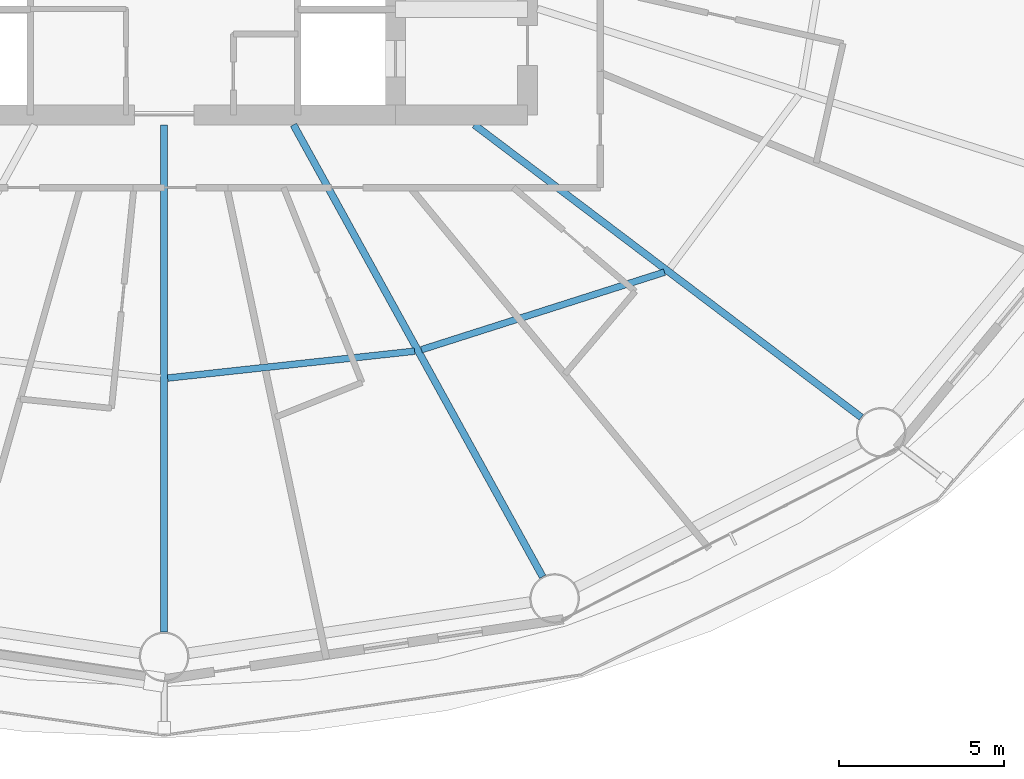
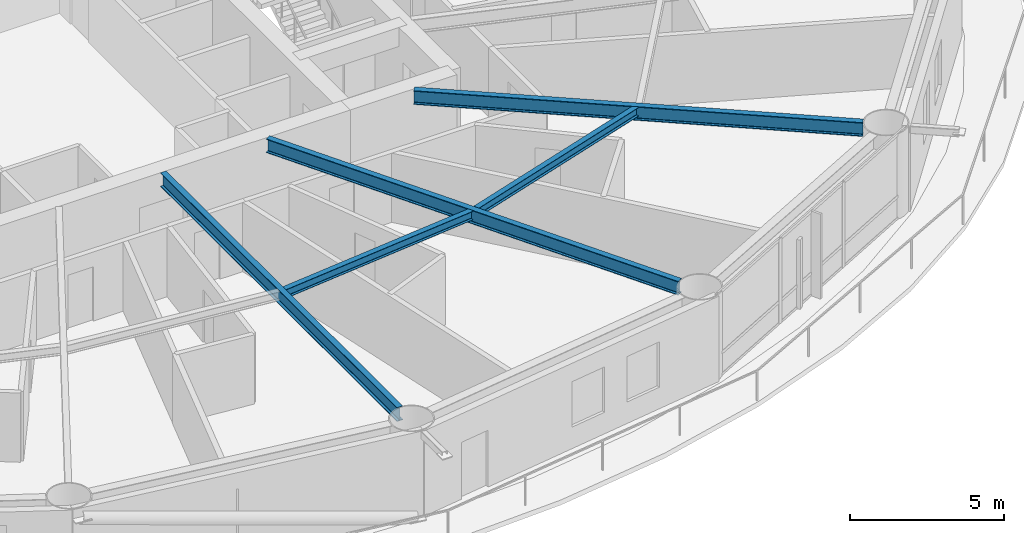
# One storey, part 7 of 26: 5 beams.
"""IFC4 building model written with IfcOpenShell, lengths in metres."""

from ifc_helpers import new_model, si_unit, direction, frame, origin, origin_2d, place, context, subcontext, project, spatial, i_section, extrude, material, material_profile, profile_set, type_object, element, save


model = new_model("IFC4")

# Units and contexts
model_context = context("Model", 3, precision=1e-05, world=origin(), true_north=direction((0.0, 1.0)))
body_context = subcontext(model_context, "Body", "Model", "MODEL_VIEW")
ifc_project = project(units=[si_unit("LENGTHUNIT", "METRE"), si_unit("AREAUNIT", "SQUARE_METRE"), si_unit("VOLUMEUNIT", "CUBIC_METRE"), si_unit("PLANEANGLEUNIT", "RADIAN"), si_unit("MASSUNIT", "GRAM", prefix="KILO")], contexts=[model_context])

# Site, building, storey
site_placement = place(None, origin())
site = spatial("IfcSite", under=ifc_project, at=site_placement, CompositionType="ELEMENT")
building_placement = place(site_placement, origin())
building = spatial("IfcBuilding", under=site, at=building_placement, Name="Sarneth Arch Tower", CompositionType="ELEMENT")
storey_placement = place(building_placement, frame((0.0, 0.0, 35.39990234375)))
storey = spatial("IfcBuildingStorey", under=building, at=storey_placement, Name="L07", CompositionType="ELEMENT", Elevation=35.39990234375)

# Beams
ifc_material_1 = material(Name="Steel S355", Category="steel")
ifc_material_profile_1 = material_profile(ifc_material_1, i_section(OverallWidth=0.202880859375, OverallDepth=0.346923828125, WebThickness=0.0078125, FlangeThickness=0.013427734375, FilletRadius=0.014892578125, at=origin_2d()), Name="W360x64")
ifc_profile_set_1 = profile_set([ifc_material_profile_1], Name="Steel S355")
beam_type_1 = type_object("IfcBeamType", Name="BM-JOIST-360C", PredefinedType="JOIST", material=ifc_profile_set_1)
beam_1_placement = place(storey_placement, frame((48.1064453125, 27.236572265625, 3.20654296875), z_axis=(0.994129966112, 0.108192469602, 0.0), x_axis=(-0.108192469602, 0.994129966112, 0.0)))
element("IfcBeam", 1, at=beam_1_placement, inside=storey, type_object=beam_type_1, Name="L07 Secondary floor joist 13", PredefinedType="JOIST", context=body_context, shape_type="SweptSolid", body=[
    extrude(i_section(OverallWidth=0.202880859375, OverallDepth=0.346923828125, WebThickness=0.0078125, FlangeThickness=0.013427734375, FilletRadius=0.014892578125, at=origin_2d()), origin(), (0.0, 0.0, 1.0), 7.5166015625),
])
beam_2_placement = place(storey_placement, frame((55.787109375, 28.093994140625, 3.20654296875), z_axis=(0.95266836992, 0.304011475036, 0.0), x_axis=(-0.304011475036, 0.95266836992, 0.0)))
element("IfcBeam", 2, at=beam_2_placement, inside=storey, type_object=beam_type_1, Name="L07 Secondary floor joist 14", PredefinedType="JOIST", context=body_context, shape_type="SweptSolid", body=[
    extrude(i_section(OverallWidth=0.202880859375, OverallDepth=0.346923828125, WebThickness=0.0078125, FlangeThickness=0.013427734375, FilletRadius=0.014892578125, at=origin_2d()), origin(), (0.0, 0.0, 1.0), 7.720703125),
])
ifc_material_2 = material(Name="Steel S355", Category="steel")
ifc_material_profile_2 = material_profile(ifc_material_2, i_section(OverallWidth=0.214111328125, OverallDepth=0.549072265625, WebThickness=0.0146484375, FlangeThickness=0.023681640625, FilletRadius=0.01806640625, at=origin_2d()), Name="W530x138")
ifc_profile_set_2 = profile_set([ifc_material_profile_2], Name="Steel S355")
beam_type_2 = type_object("IfcBeamType", Name="BM-RAD-530A", PredefinedType="BEAM", material=ifc_profile_set_2)
beam_3_placement = place(storey_placement, frame((48.0, 34.89990234375, 3.105712890625), z_axis=(0.0, -1.0, 0.0), x_axis=(1.0, 0.0, 0.0)))
element("IfcBeam", 3, at=beam_3_placement, inside=storey, type_object=beam_type_2, Name="L07 Radial floor girder 13", PredefinedType="BEAM", context=body_context, shape_type="SweptSolid", body=[
    extrude(i_section(OverallWidth=0.214111328125, OverallDepth=0.549072265625, WebThickness=0.0146484375, FlangeThickness=0.023681640625, FilletRadius=0.01806640625, at=origin_2d()), origin(), (0.0, 0.0, 1.0), 15.349853515625),
])
beam_4_placement = place(storey_placement, frame((51.91455078125, 34.89990234375, 3.105712890625), z_axis=(0.482841370957, -0.875707833979, 0.0), x_axis=(0.875707833979, 0.482841370957, 0.0)))
element("IfcBeam", 4, at=beam_4_placement, inside=storey, type_object=beam_type_2, Name="L07 Radial floor girder 14", PredefinedType="BEAM", context=body_context, shape_type="SweptSolid", body=[
    extrude(i_section(OverallWidth=0.214111328125, OverallDepth=0.549072265625, WebThickness=0.0146484375, FlangeThickness=0.023681640625, FilletRadius=0.01806640625, at=origin_2d()), origin(), (0.0, 0.0, 1.0), 15.618408203125),
])
beam_5_placement = place(storey_placement, frame((57.390380859375, 34.89990234375, 3.105712890625), z_axis=(0.79765464731, -0.603114469753, 0.0), x_axis=(0.603114469753, 0.79765464731, 0.0)))
element("IfcBeam", 5, at=beam_5_placement, inside=storey, type_object=beam_type_2, Name="L07 Radial floor girder 15", PredefinedType="BEAM", context=body_context, shape_type="SweptSolid", body=[
    extrude(i_section(OverallWidth=0.214111328125, OverallDepth=0.549072265625, WebThickness=0.0146484375, FlangeThickness=0.023681640625, FilletRadius=0.01806640625, at=origin_2d()), origin(), (0.0, 0.0, 1.0), 14.677978515625),
])

save(model, "model.ifc")
